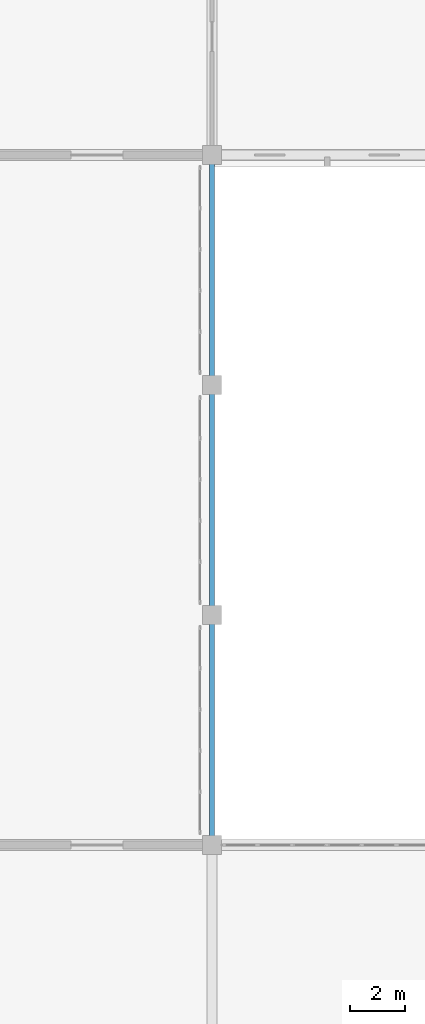
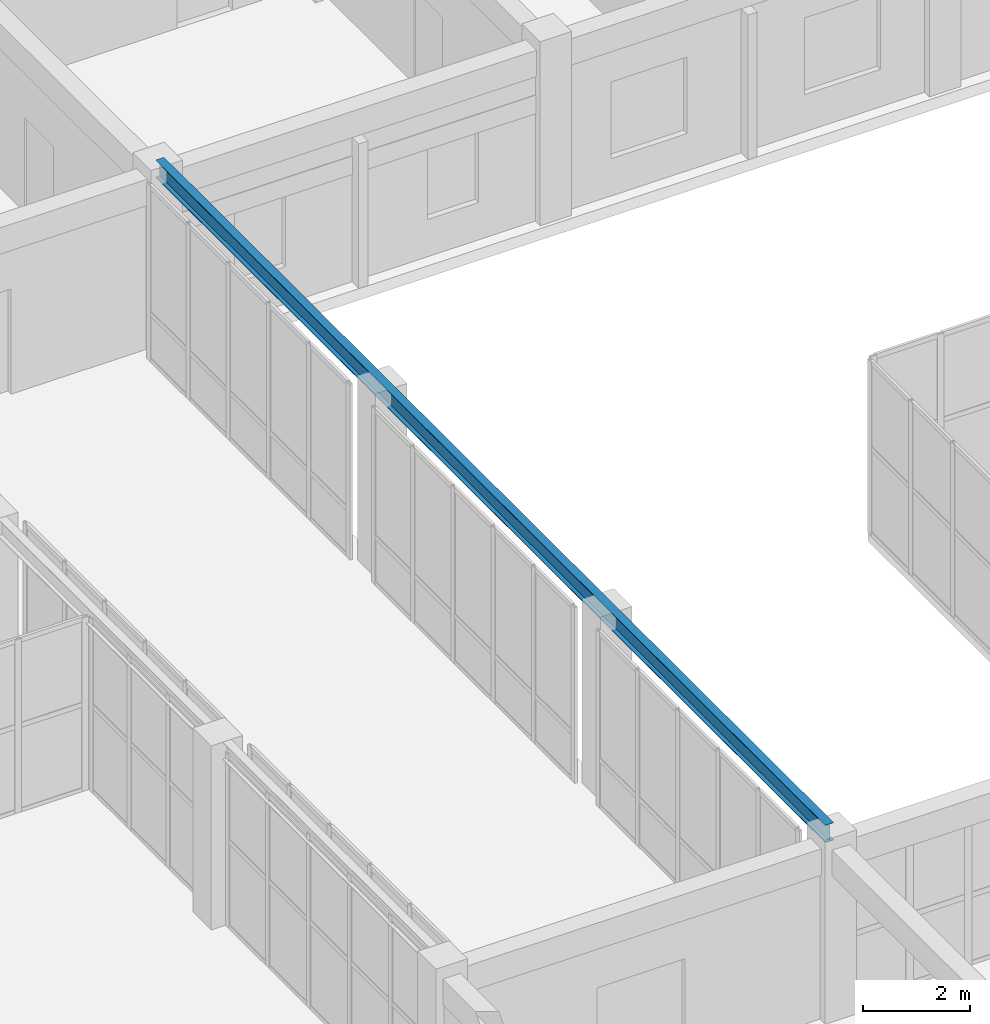
# One storey, part 68 of 140: 1 beam.
"""IFC4 building model written with IfcOpenShell, lengths in metres."""

import ifcopenshell
import ifcopenshell.guid

model = None  # the IFC model being written
_history = None  # IfcOwnerHistory: only IFC2X3 demands one
_inside = {}  # id of a spatial element -> (the spatial element, [elements in it])
_under = {}  # id of a project, library or spatial element -> (it, [spatial elements below it])
_declared = {}  # id of a project -> (the project, [libraries it declares])
_typed = {}  # id of a type object -> (the type object, [elements of that type])
_made_of = {}  # id of a material, layer set ... -> (it, [elements and type objects made of it])


def new_model(schema):
    """Start an empty IFC model of exactly this schema.

    Asked for "IFC4X3", IfcOpenShell would pick the latest addendum, in which some entities
    have other attributes; the version numbers below select the first issue.
    IFC2X3 requires an IfcOwnerHistory on every rooted entity: one is made here for all.
    """
    global model, _history
    if schema == "IFC4X3":
        model = ifcopenshell.file(schema_version=(4, 3, 0, 0))
    else:
        model = ifcopenshell.file(schema=schema)
    _inside.clear()
    _under.clear()
    _declared.clear()
    _typed.clear()
    _made_of.clear()
    _history = None
    if model.schema == "IFC2X3":
        org = make("IfcOrganization", Name="unknown")
        user = make(
            "IfcPersonAndOrganization",
            ThePerson=make("IfcPerson", FamilyName="unknown"),
            TheOrganization=org,
        )
        app = make(
            "IfcApplication",
            ApplicationDeveloper=org,
            Version="unknown",
            ApplicationFullName="unknown",
            ApplicationIdentifier="unknown",
        )
        _history = make(
            "IfcOwnerHistory",
            OwningUser=user,
            OwningApplication=app,
            ChangeAction="ADDED",
            CreationDate=0,
        )
    return model


def make(cls, **values):
    """One entity of the class cls with the attributes given. An attribute that is None is left unset."""
    return model.create_entity(
        cls, **{name: value for name, value in values.items() if value is not None}
    )


def rooted(cls, **values):
    """An entity with a GlobalId (a new one), such as an element, a storey or a relation."""
    return make(cls, GlobalId=ifcopenshell.guid.new(), OwnerHistory=_history, **values)


def si_unit(unit_type, name, prefix=None):
    """IfcSIUnit, for example si_unit("LENGTHUNIT", "METRE", prefix="MILLI")."""
    return make("IfcSIUnit", UnitType=unit_type, Prefix=prefix, Name=name)


def assignment(units):
    """IfcUnitAssignment: the units of a project."""
    return None if units is None else make("IfcUnitAssignment", Units=units)


def point(xyz):
    """IfcCartesianPoint."""
    return None if xyz is None else make("IfcCartesianPoint", Coordinates=xyz)


def direction(xyz):
    """IfcDirection."""
    return None if xyz is None else make("IfcDirection", DirectionRatios=xyz)


def frame(location, z_axis=None, x_axis=None):
    """IfcAxis2Placement3D, a coordinate frame: its origin and axes. An axis left out is left unset."""
    return make(
        "IfcAxis2Placement3D",
        Location=point(location),
        Axis=direction(z_axis),
        RefDirection=direction(x_axis),
    )


def frame_2d(location, x_axis=None):
    """IfcAxis2Placement2D, a coordinate frame in the plane: its origin and x axis."""
    return make(
        "IfcAxis2Placement2D", Location=point(location), RefDirection=direction(x_axis)
    )


def origin():
    """The frame at (0, 0, 0) with its axes left unset."""
    return frame((0.0, 0.0, 0.0))


def origin_2d():
    """The frame at (0, 0) in the plane with its x axis left unset."""
    return frame_2d((0.0, 0.0))


def place(relative_to, where):
    """IfcLocalPlacement: puts the frame where relative to a parent placement (None: the world)."""
    return make(
        "IfcLocalPlacement", PlacementRelTo=relative_to, RelativePlacement=where
    )


def context(
    kind, dimensions, precision=None, world=None, true_north=None, identifier=None
):
    """IfcGeometricRepresentationContext, for example the 3D "Model" context."""
    return make(
        "IfcGeometricRepresentationContext",
        ContextIdentifier=identifier,
        ContextType=kind,
        CoordinateSpaceDimension=dimensions,
        Precision=precision,
        WorldCoordinateSystem=world,
        TrueNorth=true_north,
    )


def subcontext(parent, identifier, kind, view, scale=None):
    """IfcGeometricRepresentationSubContext, for example "Body" below "Model"."""
    return make(
        "IfcGeometricRepresentationSubContext",
        ContextIdentifier=identifier,
        ContextType=kind,
        ParentContext=parent,
        TargetScale=scale,
        TargetView=view,
    )


def project(units=None, contexts=None):
    """IfcProject with its units and contexts."""
    return rooted(
        "IfcProject",
        Name="project",
        RepresentationContexts=contexts,
        UnitsInContext=assignment(units),
    )


def spatial(cls, under=None, at=None, **own):
    """A site, building, storey or space (cls), placed at a placement, below another one or the project."""
    s = rooted(cls, ObjectPlacement=at, **own)
    if under is not None:
        _under.setdefault(under.id(), (under, []))[1].append(s)
    return s


def profile(cls, at=None, kind="AREA", **sizes):
    """A parametric profile (cls). Its sizes go by their IFC names, for example OverallWidth=200.0."""
    return make(cls, ProfileType=kind, Position=at, **sizes)


def i_section(**sizes):
    """IfcIShapeProfileDef."""
    return profile("IfcIShapeProfileDef", **sizes)


def extrude(swept, where, along, depth):
    """IfcExtrudedAreaSolid: the profile swept, set in the frame where, extruded along a direction by depth."""
    return make(
        "IfcExtrudedAreaSolid",
        SweptArea=swept,
        Position=where,
        ExtrudedDirection=direction(along),
        Depth=depth,
    )


def shape(context_of_items, identifier, shape_type, items):
    """IfcShapeRepresentation: the items that make up one representation, for example the "Body"."""
    return make(
        "IfcShapeRepresentation",
        ContextOfItems=context_of_items,
        RepresentationIdentifier=identifier,
        RepresentationType=shape_type,
        Items=items,
    )


def material(Name=None, Category=None):
    """IfcMaterial."""
    return make("IfcMaterial", Name=Name, Category=Category)


def material_profile(
    of_material, cross_section, Name=None, Category=None, Priority=None
):
    """IfcMaterialProfile: a cross section and its material."""
    return make(
        "IfcMaterialProfile",
        Name=Name,
        Material=of_material,
        Profile=cross_section,
        Priority=Priority,
        Category=Category,
    )


def profile_set(profiles, Name=None, composite=None):
    """IfcMaterialProfileSet."""
    return make(
        "IfcMaterialProfileSet",
        Name=Name,
        MaterialProfiles=profiles,
        CompositeProfile=composite,
    )


def made_of(thing, what):
    """Note that an element or type object is made of a material, layer set ...; save() writes the relation."""
    if what is not None:
        _made_of.setdefault(what.id(), (what, []))[1].append(thing)
    return thing


def type_object(cls, material=None, **own):
    """A type object (cls), such as IfcWallType, which elements share."""
    return made_of(rooted(cls, **own), material)


def element(
    cls,
    number,
    at=None,
    inside=None,
    cuts=None,
    type_object=None,
    material=None,
    context=None,
    identifier="Body",
    shape_type=None,
    held_by="IfcProductDefinitionShape",
    body=None,
    shapes=None,
    **own,
):
    """One element of the class cls, such as IfcWall. Its Tag is "e" and its number.

    at: its placement. inside: the storey or other place that contains it. cuts: it is an
    opening in that element (IfcRelVoidsElement). A single representation is given by context,
    identifier, shape_type and body (its items); several are given by shapes. held_by: the class
    of the entity that holds the representations. save() writes the other relations.
    """
    e = rooted(cls, Tag="e%d" % number, ObjectPlacement=at, **own)
    if body is not None:
        shapes = [shape(context, identifier, shape_type, body)]
    if shapes is not None:
        e.Representation = make(held_by, Representations=shapes)
    if inside is not None:
        _inside.setdefault(inside.id(), (inside, []))[1].append(e)
    if cuts is not None:
        rooted(
            "IfcRelVoidsElement", RelatingBuildingElement=cuts, RelatedOpeningElement=e
        )
    if type_object is not None:
        _typed.setdefault(type_object.id(), (type_object, []))[1].append(e)
    return made_of(e, material)


def aggregate(whole, parts):
    """IfcRelAggregates: a whole, such as a stair, and the parts it consists of."""
    return rooted("IfcRelAggregates", RelatingObject=whole, RelatedObjects=parts)


def save(model, path):
    """Write the relations noted so far, then the file.

    IfcRelAggregates (storeys below a building ...), IfcRelContainedInSpatialStructure (elements
    in a storey), IfcRelDefinesByType, IfcRelAssociatesMaterial and IfcRelDeclares: one each for
    every whole, place, type object, material and project.
    """
    for whole, parts in _under.values():
        aggregate(whole, parts)
    for where, things in _inside.values():
        rooted(
            "IfcRelContainedInSpatialStructure",
            RelatedElements=things,
            RelatingStructure=where,
        )
    for kind, things in _typed.values():
        rooted("IfcRelDefinesByType", RelatedObjects=things, RelatingType=kind)
    for what, things in _made_of.values():
        rooted("IfcRelAssociatesMaterial", RelatedObjects=things, RelatingMaterial=what)
    for by, libraries in _declared.values():
        rooted("IfcRelDeclares", RelatingContext=by, RelatedDefinitions=libraries)
    model.write(path)


model = new_model("IFC4")

# Units and contexts
model_context = context("Model", 3, precision=1e-05, world=origin(), true_north=direction((0.0, 1.0)))
body_context = subcontext(model_context, "Body", "Model", "MODEL_VIEW")
ifc_project = project(units=[si_unit("LENGTHUNIT", "METRE"), si_unit("AREAUNIT", "SQUARE_METRE"), si_unit("VOLUMEUNIT", "CUBIC_METRE"), si_unit("PLANEANGLEUNIT", "RADIAN"), si_unit("MASSUNIT", "GRAM", prefix="KILO")], contexts=[model_context])

# Site, building, storey
site_placement = place(None, origin())
site = spatial("IfcSite", under=ifc_project, at=site_placement, CompositionType="ELEMENT")
building_placement = place(site_placement, origin())
building = spatial("IfcBuilding", under=site, at=building_placement, Name="Trelvath General Hospital", CompositionType="ELEMENT")
storey_placement = place(building_placement, frame((0.0, 0.0, 16.199951171875)))
storey = spatial("IfcBuildingStorey", under=building, at=storey_placement, Name="L04", CompositionType="ELEMENT", Elevation=16.199951171875)

# Beam
ifc_material = material(Name="Steel S355", Category="steel")
ifc_material_profile = material_profile(ifc_material, i_section(OverallWidth=0.179931640625, OverallDepth=0.39990234375, WebThickness=0.008544921875, FlangeThickness=0.013427734375, at=origin_2d()), Name="IPE400")
ifc_profile_set = profile_set([ifc_material_profile], Name="Steel S355")
beam_type = type_object("IfcBeamType", Name="BridgeGirder IPE400", PredefinedType="BEAM", material=ifc_profile_set)
beam_placement = place(storey_placement, frame((84.0, 67.280029296875, 4.0), z_axis=(0.0, 1.0, 0.0), x_axis=(-1.0, 0.0, 0.0)))
element("IfcBeam", 1, at=beam_placement, inside=storey, type_object=beam_type, Name="Bridge Roof Girder BRG-N-C E", PredefinedType="BEAM", context=body_context, shape_type="SweptSolid", body=[
    extrude(i_section(OverallWidth=0.179931640625, OverallDepth=0.39990234375, WebThickness=0.008544921875, FlangeThickness=0.013427734375, at=origin_2d()), origin(), (0.0, 0.0, 1.0), 25.0400390625),
])

save(model, "model.ifc")
